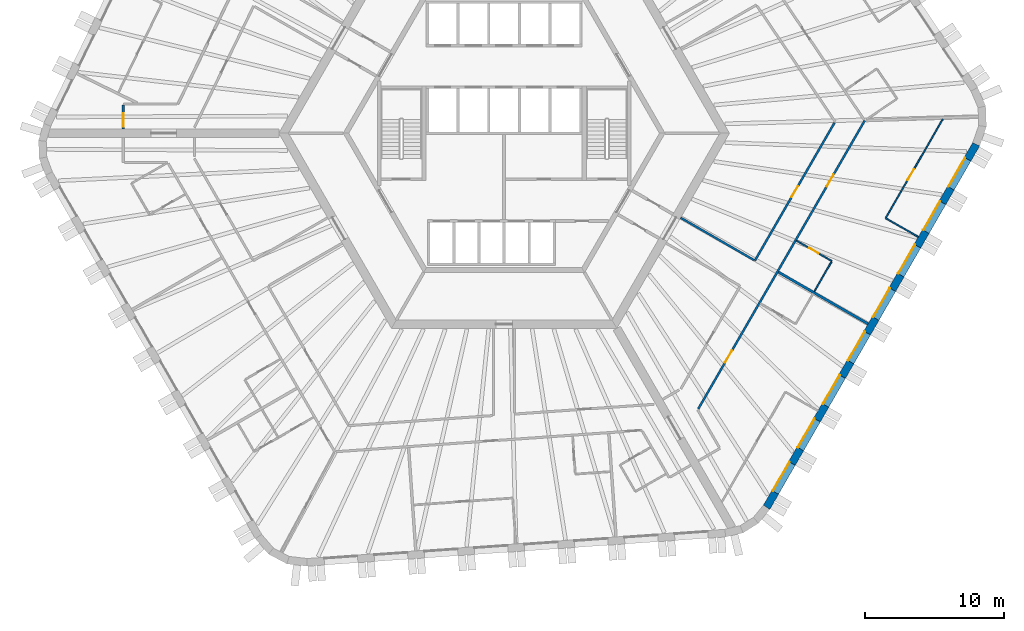
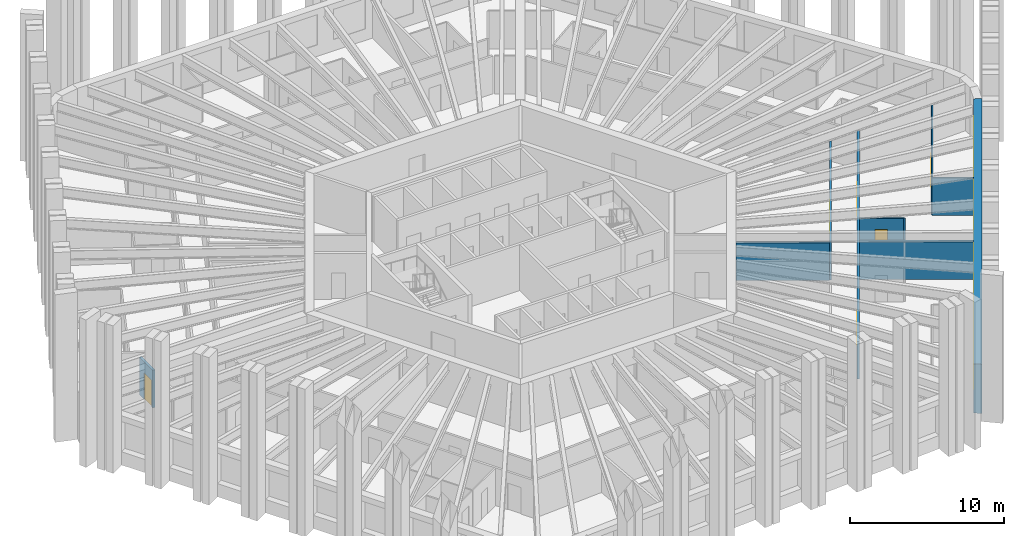
# One storey, part 6 of 13: 10 walls, 8 windows, 6 doors, 14 openings.
"""IFC4 building model written with IfcOpenShell, lengths in metres."""

from ifc_helpers import new_model, si_unit, direction, frame, frame_2d, origin, place, context, subcontext, project, spatial, polyline, rectangle, outline, extrude, material, layer, layer_set, type_object, element, fill, save


model = new_model("IFC4")

# Units and contexts
model_context = context("Model", 3, precision=1e-05, world=origin(), true_north=direction((0.0, 1.0)))
body_context = subcontext(model_context, "Body", "Model", "MODEL_VIEW")
ifc_project = project(units=[si_unit("LENGTHUNIT", "METRE"), si_unit("AREAUNIT", "SQUARE_METRE"), si_unit("VOLUMEUNIT", "CUBIC_METRE"), si_unit("PLANEANGLEUNIT", "RADIAN"), si_unit("MASSUNIT", "GRAM", prefix="KILO")], contexts=[model_context])

# Site, building, storey
site_placement = place(None, origin())
site = spatial("IfcSite", under=ifc_project, at=site_placement, CompositionType="ELEMENT")
building_placement = place(site_placement, origin())
building = spatial("IfcBuilding", under=site, at=building_placement, Name="Tarnside Tower", CompositionType="ELEMENT")
storey_placement = place(building_placement, frame((0.0, 0.0, 111.60009765625)))
storey = spatial("IfcBuildingStorey", under=building, at=storey_placement, Name="L25", CompositionType="ELEMENT", Elevation=111.60009765625)

# Wall, opening, door
ifc_material_1 = material(Name="Gypsum board partition on steel studs", Category="steel")
ifc_layer_1 = layer(ifc_material_1, 0.10009765625)
ifc_layer_set_1 = layer_set([ifc_layer_1], Name="Bathroom wall 100")
wall_type_1 = type_object("IfcWallType", Name="Bathroom wall 100", PredefinedType="PARTITIONING", material=ifc_layer_set_1)
wall_1_placement = place(storey_placement, frame((20.979736328125, -7.7119140625, 0.0), z_axis=(0.0, 0.0, 1.0), x_axis=(0.86601045545, -0.500025890382, 0.0)))
wall_1 = element("IfcWall", 1, at=wall_1_placement, inside=storey, type_object=wall_type_1, Name="Bathroom wall 08131", PredefinedType="PARTITIONING", context=body_context, shape_type="SweptSolid", body=[
    extrude(rectangle(XDim=2.925048828125, YDim=0.10009765625, at=frame_2d((1.46240234375, 0.0))), origin(), (0.0, 0.0, 1.0), 2.98779296875),
])
opening_1_placement = place(wall_1_placement, frame((1.02490234375, 0.0, 0.0)))
opening_1 = element("IfcOpeningElement", 2, at=opening_1_placement, cuts=wall_1, Name="Opening D-B1", PredefinedType="OPENING", context=body_context, shape_type="SweptSolid", body=[
    extrude(rectangle(XDim=0.800048828125, YDim=2.10009765625, at=frame_2d((0.39990234375, 1.050048828125))), frame((0.0, 0.06005859375, 0.0), z_axis=(0.0, -1.0, 0.0), x_axis=(1.0, 0.0, 0.0)), (0.0, 0.0, 1.0), 0.1201171875),
])
ifc_material_2 = material(Name="Timber door leaf", Category="wood")
door_type_1 = type_object("IfcDoorType", Name="Bathroom door 800", OperationType="NOTDEFINED", PredefinedType="DOOR", material=ifc_material_2)
door_1_placement = place(opening_1_placement, origin())
door_1 = element("IfcDoor", 3, at=door_1_placement, inside=storey, type_object=door_type_1, Name="Bathroom door 08032", OperationType="SINGLE_SWING_RIGHT", OverallHeight=2.10009765625, OverallWidth=0.800048828125, PredefinedType="DOOR", context=body_context, shape_type="SweptSolid", body=[
    extrude(rectangle(XDim=0.800048828125, YDim=2.10009765625, at=frame_2d((0.39990234375, 1.050048828125))), frame((0.0, 0.02490234375, 0.0), z_axis=(0.0, -1.0, 0.0), x_axis=(1.0, 0.0, 0.0)), (0.0, 0.0, 1.0), 0.050048828125),
])
fill(opening_1, door_1)

# Wall
wall_2_placement = place(storey_placement, frame((23.48779296875, -9.2177734375, 0.0), z_axis=(0.0, 0.0, 1.0), x_axis=(-0.500003092839, -0.866023618125, 0.0)))
element("IfcWall", 4, at=wall_2_placement, inside=storey, type_object=wall_type_1, Name="Bathroom wall 08132", PredefinedType="PARTITIONING", context=body_context, shape_type="SweptSolid", body=[
    extrude(rectangle(XDim=2.4599609375, YDim=0.10009765625, at=frame_2d((1.22998046875, 0.0))), origin(), (0.0, 0.0, 1.0), 2.98779296875),
])

# Wall, opening, door
ifc_layer_2 = layer(ifc_material_1, 0.14990234375)
ifc_layer_set_2 = layer_set([ifc_layer_2], Name="Corridor wall 150 EI 60")
wall_type_2 = type_object("IfcWallType", Name="Corridor wall 150 EI 60", PredefinedType="PARTITIONING", material=ifc_layer_set_2)
wall_3_placement = place(storey_placement, frame((-27.3203125, 2.02490234375, 0.0), z_axis=(0.0, 0.0, 1.0), x_axis=(0.0, -1.0, 0.0)))
wall_3 = element("IfcWall", 5, at=wall_3_placement, inside=storey, type_object=wall_type_2, Name="Corridor wall 08015", PredefinedType="PARTITIONING", context=body_context, shape_type="SweptSolid", body=[
    extrude(rectangle(XDim=1.724853515625, YDim=0.14990234375, at=frame_2d((0.8623046875, 0.0))), origin(), (0.0, 0.0, 1.0), 2.98779296875),
])
opening_2_placement = place(wall_3_placement, frame((0.574951171875, 0.0, 0.0)))
opening_2 = element("IfcOpeningElement", 6, at=opening_2_placement, cuts=wall_3, Name="Opening D-E1", PredefinedType="OPENING", context=body_context, shape_type="SweptSolid", body=[
    extrude(rectangle(XDim=1.0, YDim=2.10009765625, at=frame_2d((0.5, 1.050048828125))), frame((0.0, 0.0849609375, 0.0), z_axis=(0.0, -1.0, 0.0), x_axis=(1.0, 0.0, 0.0)), (0.0, 0.0, 1.0), 0.169921875),
])
door_type_2 = type_object("IfcDoorType", Name="Unit entrance door 1000 FD30S", OperationType="NOTDEFINED", PredefinedType="DOOR", material=ifc_material_2)
door_2_placement = place(opening_2_placement, origin())
door_2 = element("IfcDoor", 7, at=door_2_placement, inside=storey, type_object=door_type_2, Name="Unit door 08014", OperationType="SINGLE_SWING_LEFT", OverallHeight=2.10009765625, OverallWidth=1.0, PredefinedType="DOOR", context=body_context, shape_type="SweptSolid", body=[
    extrude(rectangle(XDim=1.0, YDim=2.10009765625, at=frame_2d((0.5, 1.050048828125))), frame((0.0, 0.02490234375, 0.0), z_axis=(0.0, -1.0, 0.0), x_axis=(1.0, 0.0, 0.0)), (0.0, 0.0, 1.0), 0.050048828125),
])
fill(opening_2, door_2)

# Wall, openings, doors
wall_4_placement = place(storey_placement, frame((13.928466796875, -19.77490234375, 0.0), z_axis=(0.0, 0.0, 1.0), x_axis=(0.50000450071, 0.866022805283, 0.0)))
wall_4 = element("IfcWall", 8, at=wall_4_placement, inside=storey, type_object=wall_type_2, Name="Corridor wall 08052", PredefinedType="PARTITIONING", context=body_context, shape_type="SweptSolid", body=[
    extrude(rectangle(XDim=23.877197265625, YDim=0.14990234375, at=frame_2d((11.9384765625, 0.0))), origin(), (0.0, 0.0, 1.0), 2.98779296875),
])
opening_3_placement = place(wall_4_placement, frame((3.843017578125, 0.0, 0.0)))
opening_3 = element("IfcOpeningElement", 9, at=opening_3_placement, cuts=wall_4, Name="Opening D-E1", PredefinedType="OPENING", context=body_context, shape_type="SweptSolid", body=[
    extrude(rectangle(XDim=1.0, YDim=2.10009765625, at=frame_2d((0.5, 1.050048828125))), frame((0.0, 0.0849609375, 0.0), z_axis=(0.0, -1.0, 0.0), x_axis=(1.0, 0.0, 0.0)), (0.0, 0.0, 1.0), 0.169921875),
])
opening_4_placement = place(wall_4_placement, frame((18.4248046875, 0.0, 0.0)))
opening_4 = element("IfcOpeningElement", 10, at=opening_4_placement, cuts=wall_4, Name="Opening D-E1", PredefinedType="OPENING", context=body_context, shape_type="SweptSolid", body=[
    extrude(rectangle(XDim=1.0, YDim=2.10009765625, at=frame_2d((0.5, 1.050048828125))), frame((0.0, 0.0849609375, 0.0), z_axis=(0.0, -1.0, 0.0), x_axis=(1.0, 0.0, 0.0)), (0.0, 0.0, 1.0), 0.169921875),
])
door_3_placement = place(opening_3_placement, origin())
door_3 = element("IfcDoor", 11, at=door_3_placement, inside=storey, type_object=door_type_2, Name="Unit door 08028", OperationType="SINGLE_SWING_RIGHT", OverallHeight=2.10009765625, OverallWidth=1.0, PredefinedType="DOOR", context=body_context, shape_type="SweptSolid", body=[
    extrude(rectangle(XDim=1.0, YDim=2.10009765625, at=frame_2d((0.5, 1.050048828125))), frame((0.0, 0.02490234375, 0.0), z_axis=(0.0, -1.0, 0.0), x_axis=(1.0, 0.0, 0.0)), (0.0, 0.0, 1.0), 0.050048828125),
])
fill(opening_3, door_3)
door_4_placement = place(opening_4_placement, origin())
door_4 = element("IfcDoor", 12, at=door_4_placement, inside=storey, type_object=door_type_2, Name="Unit door 08031", OperationType="SINGLE_SWING_RIGHT", OverallHeight=2.10009765625, OverallWidth=1.0, PredefinedType="DOOR", context=body_context, shape_type="SweptSolid", body=[
    extrude(rectangle(XDim=1.0, YDim=2.10009765625, at=frame_2d((0.5, 1.050048828125))), frame((0.0, 0.02490234375, 0.0), z_axis=(0.0, -1.0, 0.0), x_axis=(1.0, 0.0, 0.0)), (0.0, 0.0, 1.0), 0.050048828125),
])
fill(opening_4, door_4)

# Wall, opening, door
wall_5_placement = place(storey_placement, frame((23.704345703125, 0.757080078125, 0.0), z_axis=(0.0, 0.0, 1.0), x_axis=(-0.500010297365, -0.866019458516, 0.0)))
wall_5 = element("IfcWall", 13, at=wall_5_placement, inside=storey, type_object=wall_type_2, Name="Corridor wall 08064", PredefinedType="PARTITIONING", context=body_context, shape_type="SweptSolid", body=[
    extrude(rectangle(XDim=11.428955078125, YDim=0.14990234375, at=frame_2d((5.71435546875, 0.0))), origin(), (0.0, 0.0, 1.0), 2.98779296875),
])
opening_5_placement = place(wall_5_placement, frame((5.264404296875, 0.0, 0.0)))
opening_5 = element("IfcOpeningElement", 14, at=opening_5_placement, cuts=wall_5, Name="Opening D-S1", PredefinedType="OPENING", context=body_context, shape_type="SweptSolid", body=[
    extrude(rectangle(XDim=0.89990234375, YDim=2.10009765625, at=frame_2d((0.449951171875, 1.050048828125))), frame((0.0, 0.0849609375, 0.0), z_axis=(0.0, -1.0, 0.0), x_axis=(1.0, 0.0, 0.0)), (0.0, 0.0, 1.0), 0.169921875),
])
door_type_3 = type_object("IfcDoorType", Name="Service room door 900 FD30S", OperationType="NOTDEFINED", PredefinedType="DOOR", material=ifc_material_2)
door_5_placement = place(opening_5_placement, origin())
door_5 = element("IfcDoor", 15, at=door_5_placement, inside=storey, type_object=door_type_3, Name="Service door 08046", OperationType="SINGLE_SWING_LEFT", OverallHeight=2.10009765625, OverallWidth=0.89990234375, PredefinedType="DOOR", context=body_context, shape_type="SweptSolid", body=[
    extrude(rectangle(XDim=0.89990234375, YDim=2.10009765625, at=frame_2d((0.449951171875, 1.050048828125))), frame((0.0, 0.02490234375, 0.0), z_axis=(0.0, -1.0, 0.0), x_axis=(1.0, 0.0, 0.0)), (0.0, 0.0, 1.0), 0.050048828125),
])
fill(opening_5, door_5)

# Walls
wall_6_placement = place(storey_placement, frame((17.9248046875, -9.103271484375, 0.0), z_axis=(0.0, 0.0, 1.0), x_axis=(-0.866013586754, 0.500020467139, 0.0)))
element("IfcWall", 16, at=wall_6_placement, inside=storey, type_object=wall_type_2, Name="Corridor wall 08065", PredefinedType="PARTITIONING", context=body_context, shape_type="SweptSolid", body=[
    extrude(rectangle(XDim=6.074951171875, YDim=0.14990234375, at=frame_2d((3.03759765625, 0.0))), origin(), (0.0, 0.0, 1.0), 2.98779296875),
])
ifc_layer_3 = layer(ifc_material_1, 0.179931640625)
ifc_layer_set_3 = layer_set([ifc_layer_3], Name="Demising wall 180 EI 60")
wall_type_3 = type_object("IfcWallType", Name="Demising wall 180 EI 60", PredefinedType="PARTITIONING", material=ifc_layer_set_3)
wall_7_placement = place(storey_placement, frame((26.10986328125, -13.67626953125, 0.0), z_axis=(0.0, 0.0, 1.0), x_axis=(-0.866014745021, 0.500018461065, 0.0)))
element("IfcWall", 17, at=wall_7_placement, inside=storey, type_object=wall_type_3, Name="Demising wall 08129", PredefinedType="PARTITIONING", context=body_context, shape_type="SweptSolid", body=[
    extrude(rectangle(XDim=7.425048828125, YDim=0.179931640625, at=frame_2d((3.71240234375, 0.0))), origin(), (0.0, 0.0, 1.0), 2.98779296875),
])
ifc_layer_4 = layer(ifc_material_1, 0.10009765625)
ifc_layer_set_4 = layer_set([ifc_layer_4], Name="Partition 100")
wall_type_4 = type_object("IfcWallType", Name="Partition 100", PredefinedType="PARTITIONING", material=ifc_layer_set_4)
wall_8_placement = place(storey_placement, frame((29.7099609375, -7.44091796875, 0.0), z_axis=(0.0, 0.0, 1.0), x_axis=(-0.86599734893, 0.500048589285, 0.0)))
element("IfcWall", 18, at=wall_8_placement, inside=storey, type_object=wall_type_4, Name="Partition wall 08133", PredefinedType="PARTITIONING", context=body_context, shape_type="SweptSolid", body=[
    extrude(rectangle(XDim=2.699951171875, YDim=0.10009765625, at=frame_2d((1.35009765625, 0.0))), origin(), (0.0, 0.0, 1.0), 2.98779296875),
])

# Wall, opening, door
wall_9_placement = place(storey_placement, frame((27.396728515625, -6.047607421875, 0.0), z_axis=(0.0, 0.0, 1.0), x_axis=(0.49998354646, 0.866034903032, 0.0)))
wall_9 = element("IfcWall", 19, at=wall_9_placement, inside=storey, type_object=wall_type_4, Name="Partition wall 08134", PredefinedType="PARTITIONING", context=body_context, shape_type="SweptSolid", body=[
    extrude(rectangle(XDim=8.148193359375, YDim=0.10009765625, at=frame_2d((4.07421875, 0.0))), origin(), (0.0, 0.0, 1.0), 2.98779296875),
])
opening_6_placement = place(wall_9_placement, frame((3.10009765625, 0.0, 0.0)))
opening_6 = element("IfcOpeningElement", 20, at=opening_6_placement, cuts=wall_9, Name="Opening D-I1", PredefinedType="OPENING", context=body_context, shape_type="SweptSolid", body=[
    extrude(rectangle(XDim=0.89990234375, YDim=2.10009765625, at=frame_2d((0.449951171875, 1.050048828125))), frame((0.0, 0.06005859375, 0.0), z_axis=(0.0, -1.0, 0.0), x_axis=(1.0, 0.0, 0.0)), (0.0, 0.0, 1.0), 0.1201171875),
])
door_type_4 = type_object("IfcDoorType", Name="Internal door 900", OperationType="NOTDEFINED", PredefinedType="DOOR", material=ifc_material_2)
door_6_placement = place(opening_6_placement, origin())
door_6 = element("IfcDoor", 21, at=door_6_placement, inside=storey, type_object=door_type_4, Name="Internal door 08033", OperationType="SINGLE_SWING_RIGHT", OverallHeight=2.10009765625, OverallWidth=0.89990234375, PredefinedType="DOOR", context=body_context, shape_type="SweptSolid", body=[
    extrude(rectangle(XDim=0.89990234375, YDim=2.10009765625, at=frame_2d((0.449951171875, 1.050048828125))), frame((0.0, 0.02490234375, 0.0), z_axis=(0.0, -1.0, 0.0), x_axis=(1.0, 0.0, 0.0)), (0.0, 0.0, 1.0), 0.050048828125),
])
fill(opening_6, door_6)

# Wall, openings, windows
ifc_material_3 = material(Name="Facing brick", Category="masonry")
ifc_layer_5 = layer(ifc_material_3, 0.10205078125)
ifc_material_4 = material(Name="Concrete C60/75 precast", Category="concrete")
ifc_layer_6 = layer(ifc_material_4, 0.347900390625)
ifc_material_5 = material(Name="Mineral wool insulation")
ifc_layer_7 = layer(ifc_material_5, 0.10009765625)
ifc_layer_set_5 = layer_set([ifc_layer_5, ifc_layer_6, ifc_layer_7], Name="Tube wall 550 brick faced")
wall_type_5 = type_object("IfcWallType", Name="Tube wall 550 brick faced", PredefinedType="SOLIDWALL", material=ifc_layer_set_5)
wall_10_placement = place(storey_placement, frame((18.830322265625, -26.834716796875, -0.150146484375), z_axis=(0.0, 0.0, 1.0), x_axis=(0.500003800416, 0.866023209602, 0.0)))
wall_10 = element("IfcWall", 22, at=wall_10_placement, inside=storey, type_object=wall_type_5, Name="Tube wall L25 F5 flush 16", PredefinedType="SOLIDWALL", context=body_context, shape_type="SweptSolid", body=[
    extrude(outline(polyline([(-0.0224609375, -0.27490234375), (30.0966796875, -0.27490234375), (30.04541015625, 0.27490234375), (0.0224609375, 0.27490234375), (-0.0224609375, -0.27490234375)])), origin(), (0.0, 0.0, 1.0), 3.900146484375),
])
opening_7_placement = place(wall_10_placement, frame((1.235595703125, 0.0, 1.050048828125)))
opening_7 = element("IfcOpeningElement", 23, at=opening_7_placement, cuts=wall_10, Name="Opening WH", PredefinedType="OPENING", context=body_context, shape_type="SweptSolid", body=[
    extrude(rectangle(XDim=2.39990234375, YDim=2.39990234375, at=frame_2d((1.199951171875, 1.199951171875))), frame((0.0, 0.28515625, 0.0), z_axis=(0.0, -1.0, 0.0), x_axis=(1.0, 0.0, 0.0)), (0.0, 0.0, 1.0), 0.570068359375),
])
opening_8_placement = place(wall_10_placement, frame((4.83544921875, 0.0, 1.050048828125)))
opening_8 = element("IfcOpeningElement", 24, at=opening_8_placement, cuts=wall_10, Name="Opening WH", PredefinedType="OPENING", context=body_context, shape_type="SweptSolid", body=[
    extrude(rectangle(XDim=2.39990234375, YDim=2.39990234375, at=frame_2d((1.199951171875, 1.199951171875))), frame((0.0, 0.28515625, 0.0), z_axis=(0.0, -1.0, 0.0), x_axis=(1.0, 0.0, 0.0)), (0.0, 0.0, 1.0), 0.570068359375),
])
opening_9_placement = place(wall_10_placement, frame((8.435546875, 0.0, 1.050048828125)))
opening_9 = element("IfcOpeningElement", 25, at=opening_9_placement, cuts=wall_10, Name="Opening WH", PredefinedType="OPENING", context=body_context, shape_type="SweptSolid", body=[
    extrude(rectangle(XDim=2.39990234375, YDim=2.39990234375, at=frame_2d((1.199951171875, 1.199951171875))), frame((0.0, 0.28515625, 0.0), z_axis=(0.0, -1.0, 0.0), x_axis=(1.0, 0.0, 0.0)), (0.0, 0.0, 1.0), 0.570068359375),
])
opening_10_placement = place(wall_10_placement, frame((12.035400390625, 0.0, 1.050048828125)))
opening_10 = element("IfcOpeningElement", 26, at=opening_10_placement, cuts=wall_10, Name="Opening WH", PredefinedType="OPENING", context=body_context, shape_type="SweptSolid", body=[
    extrude(rectangle(XDim=2.39990234375, YDim=2.39990234375, at=frame_2d((1.199951171875, 1.199951171875))), frame((0.0, 0.28515625, 0.0), z_axis=(0.0, -1.0, 0.0), x_axis=(1.0, 0.0, 0.0)), (0.0, 0.0, 1.0), 0.570068359375),
])
opening_11_placement = place(wall_10_placement, frame((15.635498046875, 0.0, 1.050048828125)))
opening_11 = element("IfcOpeningElement", 27, at=opening_11_placement, cuts=wall_10, Name="Opening WH", PredefinedType="OPENING", context=body_context, shape_type="SweptSolid", body=[
    extrude(rectangle(XDim=2.39990234375, YDim=2.39990234375, at=frame_2d((1.199951171875, 1.199951171875))), frame((0.0, 0.28515625, 0.0), z_axis=(0.0, -1.0, 0.0), x_axis=(1.0, 0.0, 0.0)), (0.0, 0.0, 1.0), 0.570068359375),
])
opening_12_placement = place(wall_10_placement, frame((19.235595703125, 0.0, 1.050048828125)))
opening_12 = element("IfcOpeningElement", 28, at=opening_12_placement, cuts=wall_10, Name="Opening WH", PredefinedType="OPENING", context=body_context, shape_type="SweptSolid", body=[
    extrude(rectangle(XDim=2.39990234375, YDim=2.39990234375, at=frame_2d((1.199951171875, 1.199951171875))), frame((0.0, 0.28515625, 0.0), z_axis=(0.0, -1.0, 0.0), x_axis=(1.0, 0.0, 0.0)), (0.0, 0.0, 1.0), 0.570068359375),
])
opening_13_placement = place(wall_10_placement, frame((22.83544921875, 0.0, 1.050048828125)))
opening_13 = element("IfcOpeningElement", 29, at=opening_13_placement, cuts=wall_10, Name="Opening WH", PredefinedType="OPENING", context=body_context, shape_type="SweptSolid", body=[
    extrude(rectangle(XDim=2.39990234375, YDim=2.39990234375, at=frame_2d((1.199951171875, 1.199951171875))), frame((0.0, 0.28515625, 0.0), z_axis=(0.0, -1.0, 0.0), x_axis=(1.0, 0.0, 0.0)), (0.0, 0.0, 1.0), 0.570068359375),
])
opening_14_placement = place(wall_10_placement, frame((26.435546875, 0.0, 1.050048828125)))
opening_14 = element("IfcOpeningElement", 30, at=opening_14_placement, cuts=wall_10, Name="Opening WH", PredefinedType="OPENING", context=body_context, shape_type="SweptSolid", body=[
    extrude(rectangle(XDim=2.39990234375, YDim=2.39990234375, at=frame_2d((1.199951171875, 1.199951171875))), frame((0.0, 0.28515625, 0.0), z_axis=(0.0, -1.0, 0.0), x_axis=(1.0, 0.0, 0.0)), (0.0, 0.0, 1.0), 0.570068359375),
])
ifc_material_6 = material(Name="Aluminium-framed double glazing", Category="aluminium")
window_type = type_object("IfcWindowType", Name="Hotel window 2400 x 2400", PartitioningType="DOUBLE_PANEL_VERTICAL", PredefinedType="WINDOW", material=ifc_material_6)
window_1_placement = place(opening_7_placement, frame((0.0, 0.205078125, 0.0)))
window_1 = element("IfcWindow", 31, at=window_1_placement, inside=storey, type_object=window_type, Name="E.WN.L25.F5.00", OverallHeight=2.39990234375, OverallWidth=2.39990234375, PartitioningType="DOUBLE_PANEL_VERTICAL", PredefinedType="WINDOW", context=body_context, shape_type="SweptSolid", body=[
    extrude(rectangle(XDim=2.39990234375, YDim=2.39990234375, at=frame_2d((1.199951171875, 1.199951171875))), frame((0.0, 0.030029296875, 0.0), z_axis=(0.0, -1.0, 0.0), x_axis=(1.0, 0.0, 0.0)), (0.0, 0.0, 1.0), 0.06005859375),
])
fill(opening_7, window_1)
window_2_placement = place(opening_8_placement, frame((0.0, 0.205078125, 0.0)))
window_2 = element("IfcWindow", 32, at=window_2_placement, inside=storey, type_object=window_type, Name="E.WN.L25.F5.01", OverallHeight=2.39990234375, OverallWidth=2.39990234375, PartitioningType="DOUBLE_PANEL_VERTICAL", PredefinedType="WINDOW", context=body_context, shape_type="SweptSolid", body=[
    extrude(rectangle(XDim=2.39990234375, YDim=2.39990234375, at=frame_2d((1.199951171875, 1.199951171875))), frame((0.0, 0.030029296875, 0.0), z_axis=(0.0, -1.0, 0.0), x_axis=(1.0, 0.0, 0.0)), (0.0, 0.0, 1.0), 0.06005859375),
])
fill(opening_8, window_2)
window_3_placement = place(opening_9_placement, frame((0.0, 0.205078125, 0.0)))
window_3 = element("IfcWindow", 33, at=window_3_placement, inside=storey, type_object=window_type, Name="E.WN.L25.F5.02", OverallHeight=2.39990234375, OverallWidth=2.39990234375, PartitioningType="DOUBLE_PANEL_VERTICAL", PredefinedType="WINDOW", context=body_context, shape_type="SweptSolid", body=[
    extrude(rectangle(XDim=2.39990234375, YDim=2.39990234375, at=frame_2d((1.199951171875, 1.199951171875))), frame((0.0, 0.030029296875, 0.0), z_axis=(0.0, -1.0, 0.0), x_axis=(1.0, 0.0, 0.0)), (0.0, 0.0, 1.0), 0.06005859375),
])
fill(opening_9, window_3)
window_4_placement = place(opening_10_placement, frame((0.0, 0.205078125, 0.0)))
window_4 = element("IfcWindow", 34, at=window_4_placement, inside=storey, type_object=window_type, Name="E.WN.L25.F5.03", OverallHeight=2.39990234375, OverallWidth=2.39990234375, PartitioningType="DOUBLE_PANEL_VERTICAL", PredefinedType="WINDOW", context=body_context, shape_type="SweptSolid", body=[
    extrude(rectangle(XDim=2.39990234375, YDim=2.39990234375, at=frame_2d((1.199951171875, 1.199951171875))), frame((0.0, 0.030029296875, 0.0), z_axis=(0.0, -1.0, 0.0), x_axis=(1.0, 0.0, 0.0)), (0.0, 0.0, 1.0), 0.06005859375),
])
fill(opening_10, window_4)
window_5_placement = place(opening_11_placement, frame((0.0, 0.205078125, 0.0)))
window_5 = element("IfcWindow", 35, at=window_5_placement, inside=storey, type_object=window_type, Name="E.WN.L25.F5.04", OverallHeight=2.39990234375, OverallWidth=2.39990234375, PartitioningType="DOUBLE_PANEL_VERTICAL", PredefinedType="WINDOW", context=body_context, shape_type="SweptSolid", body=[
    extrude(rectangle(XDim=2.39990234375, YDim=2.39990234375, at=frame_2d((1.199951171875, 1.199951171875))), frame((0.0, 0.030029296875, 0.0), z_axis=(0.0, -1.0, 0.0), x_axis=(1.0, 0.0, 0.0)), (0.0, 0.0, 1.0), 0.06005859375),
])
fill(opening_11, window_5)
window_6_placement = place(opening_12_placement, frame((0.0, 0.205078125, 0.0)))
window_6 = element("IfcWindow", 36, at=window_6_placement, inside=storey, type_object=window_type, Name="E.WN.L25.F5.05", OverallHeight=2.39990234375, OverallWidth=2.39990234375, PartitioningType="DOUBLE_PANEL_VERTICAL", PredefinedType="WINDOW", context=body_context, shape_type="SweptSolid", body=[
    extrude(rectangle(XDim=2.39990234375, YDim=2.39990234375, at=frame_2d((1.199951171875, 1.199951171875))), frame((0.0, 0.030029296875, 0.0), z_axis=(0.0, -1.0, 0.0), x_axis=(1.0, 0.0, 0.0)), (0.0, 0.0, 1.0), 0.06005859375),
])
fill(opening_12, window_6)
window_7_placement = place(opening_13_placement, frame((0.0, 0.205078125, 0.0)))
window_7 = element("IfcWindow", 37, at=window_7_placement, inside=storey, type_object=window_type, Name="E.WN.L25.F5.06", OverallHeight=2.39990234375, OverallWidth=2.39990234375, PartitioningType="DOUBLE_PANEL_VERTICAL", PredefinedType="WINDOW", context=body_context, shape_type="SweptSolid", body=[
    extrude(rectangle(XDim=2.39990234375, YDim=2.39990234375, at=frame_2d((1.199951171875, 1.199951171875))), frame((0.0, 0.030029296875, 0.0), z_axis=(0.0, -1.0, 0.0), x_axis=(1.0, 0.0, 0.0)), (0.0, 0.0, 1.0), 0.06005859375),
])
fill(opening_13, window_7)
window_8_placement = place(opening_14_placement, frame((0.0, 0.205078125, 0.0)))
window_8 = element("IfcWindow", 38, at=window_8_placement, inside=storey, type_object=window_type, Name="E.WN.L25.F5.07", OverallHeight=2.39990234375, OverallWidth=2.39990234375, PartitioningType="DOUBLE_PANEL_VERTICAL", PredefinedType="WINDOW", context=body_context, shape_type="SweptSolid", body=[
    extrude(rectangle(XDim=2.39990234375, YDim=2.39990234375, at=frame_2d((1.199951171875, 1.199951171875))), frame((0.0, 0.030029296875, 0.0), z_axis=(0.0, -1.0, 0.0), x_axis=(1.0, 0.0, 0.0)), (0.0, 0.0, 1.0), 0.06005859375),
])
fill(opening_14, window_8)

save(model, "model.ifc")
